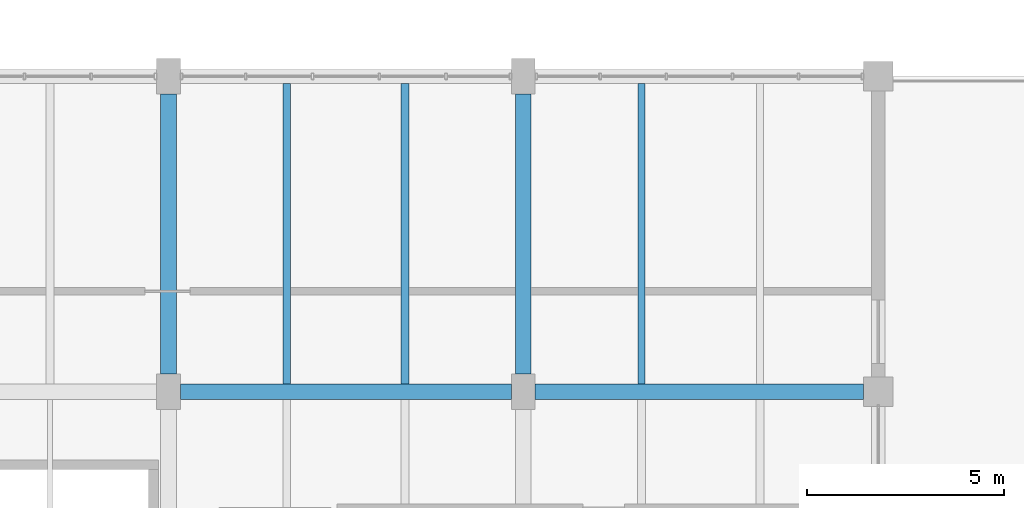
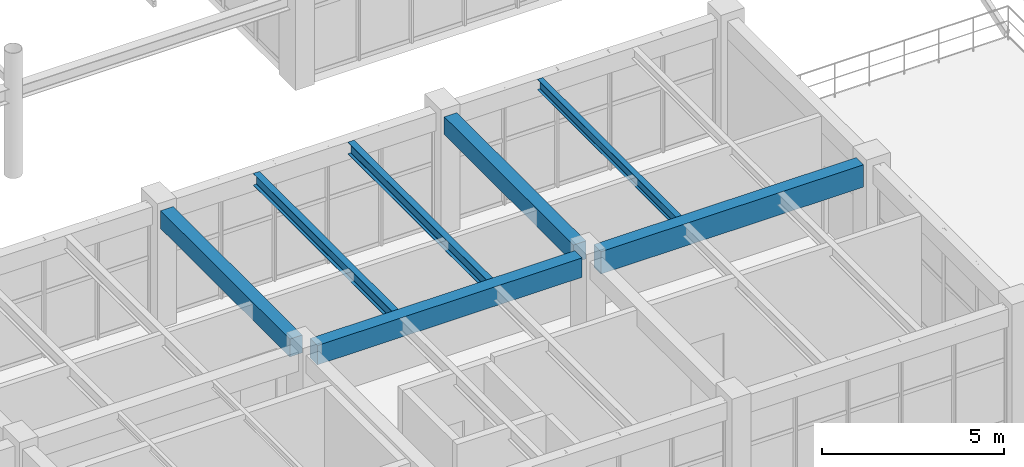
# One storey, part 15 of 148: 7 beams.
"""IFC4 building model written with IfcOpenShell, lengths in metres."""

import ifcopenshell
import ifcopenshell.guid

model = None  # the IFC model being written
_history = None  # IfcOwnerHistory: only IFC2X3 demands one
_inside = {}  # id of a spatial element -> (the spatial element, [elements in it])
_under = {}  # id of a project, library or spatial element -> (it, [spatial elements below it])
_declared = {}  # id of a project -> (the project, [libraries it declares])
_typed = {}  # id of a type object -> (the type object, [elements of that type])
_made_of = {}  # id of a material, layer set ... -> (it, [elements and type objects made of it])


def new_model(schema):
    """Start an empty IFC model of exactly this schema.

    Asked for "IFC4X3", IfcOpenShell would pick the latest addendum, in which some entities
    have other attributes; the version numbers below select the first issue.
    IFC2X3 requires an IfcOwnerHistory on every rooted entity: one is made here for all.
    """
    global model, _history
    if schema == "IFC4X3":
        model = ifcopenshell.file(schema_version=(4, 3, 0, 0))
    else:
        model = ifcopenshell.file(schema=schema)
    _inside.clear()
    _under.clear()
    _declared.clear()
    _typed.clear()
    _made_of.clear()
    _history = None
    if model.schema == "IFC2X3":
        org = make("IfcOrganization", Name="unknown")
        user = make(
            "IfcPersonAndOrganization",
            ThePerson=make("IfcPerson", FamilyName="unknown"),
            TheOrganization=org,
        )
        app = make(
            "IfcApplication",
            ApplicationDeveloper=org,
            Version="unknown",
            ApplicationFullName="unknown",
            ApplicationIdentifier="unknown",
        )
        _history = make(
            "IfcOwnerHistory",
            OwningUser=user,
            OwningApplication=app,
            ChangeAction="ADDED",
            CreationDate=0,
        )
    return model


def make(cls, **values):
    """One entity of the class cls with the attributes given. An attribute that is None is left unset."""
    return model.create_entity(
        cls, **{name: value for name, value in values.items() if value is not None}
    )


def rooted(cls, **values):
    """An entity with a GlobalId (a new one), such as an element, a storey or a relation."""
    return make(cls, GlobalId=ifcopenshell.guid.new(), OwnerHistory=_history, **values)


def si_unit(unit_type, name, prefix=None):
    """IfcSIUnit, for example si_unit("LENGTHUNIT", "METRE", prefix="MILLI")."""
    return make("IfcSIUnit", UnitType=unit_type, Prefix=prefix, Name=name)


def derived_unit(unit_type, elements):
    """IfcDerivedUnit: a product of units, each with its exponent."""
    return make(
        "IfcDerivedUnit",
        Elements=[
            make("IfcDerivedUnitElement", Unit=unit, Exponent=power)
            for unit, power in elements
        ],
        UnitType=unit_type,
    )


def assignment(units):
    """IfcUnitAssignment: the units of a project."""
    return None if units is None else make("IfcUnitAssignment", Units=units)


def point(xyz):
    """IfcCartesianPoint."""
    return None if xyz is None else make("IfcCartesianPoint", Coordinates=xyz)


def direction(xyz):
    """IfcDirection."""
    return None if xyz is None else make("IfcDirection", DirectionRatios=xyz)


def frame(location, z_axis=None, x_axis=None):
    """IfcAxis2Placement3D, a coordinate frame: its origin and axes. An axis left out is left unset."""
    return make(
        "IfcAxis2Placement3D",
        Location=point(location),
        Axis=direction(z_axis),
        RefDirection=direction(x_axis),
    )


def frame_2d(location, x_axis=None):
    """IfcAxis2Placement2D, a coordinate frame in the plane: its origin and x axis."""
    return make(
        "IfcAxis2Placement2D", Location=point(location), RefDirection=direction(x_axis)
    )


def origin():
    """The frame at (0, 0, 0) with its axes left unset."""
    return frame((0.0, 0.0, 0.0))


def origin_2d():
    """The frame at (0, 0) in the plane with its x axis left unset."""
    return frame_2d((0.0, 0.0))


def place(relative_to, where):
    """IfcLocalPlacement: puts the frame where relative to a parent placement (None: the world)."""
    return make(
        "IfcLocalPlacement", PlacementRelTo=relative_to, RelativePlacement=where
    )


def context(
    kind, dimensions, precision=None, world=None, true_north=None, identifier=None
):
    """IfcGeometricRepresentationContext, for example the 3D "Model" context."""
    return make(
        "IfcGeometricRepresentationContext",
        ContextIdentifier=identifier,
        ContextType=kind,
        CoordinateSpaceDimension=dimensions,
        Precision=precision,
        WorldCoordinateSystem=world,
        TrueNorth=true_north,
    )


def subcontext(parent, identifier, kind, view, scale=None):
    """IfcGeometricRepresentationSubContext, for example "Body" below "Model"."""
    return make(
        "IfcGeometricRepresentationSubContext",
        ContextIdentifier=identifier,
        ContextType=kind,
        ParentContext=parent,
        TargetScale=scale,
        TargetView=view,
    )


def project(units=None, contexts=None):
    """IfcProject with its units and contexts."""
    return rooted(
        "IfcProject",
        Name="project",
        RepresentationContexts=contexts,
        UnitsInContext=assignment(units),
    )


def spatial(cls, under=None, at=None, **own):
    """A site, building, storey or space (cls), placed at a placement, below another one or the project."""
    s = rooted(cls, ObjectPlacement=at, **own)
    if under is not None:
        _under.setdefault(under.id(), (under, []))[1].append(s)
    return s


def profile(cls, at=None, kind="AREA", **sizes):
    """A parametric profile (cls). Its sizes go by their IFC names, for example OverallWidth=200.0."""
    return make(cls, ProfileType=kind, Position=at, **sizes)


def rectangle(**sizes):
    """IfcRectangleProfileDef."""
    return profile("IfcRectangleProfileDef", **sizes)


def i_section(**sizes):
    """IfcIShapeProfileDef."""
    return profile("IfcIShapeProfileDef", **sizes)


def extrude(swept, where, along, depth):
    """IfcExtrudedAreaSolid: the profile swept, set in the frame where, extruded along a direction by depth."""
    return make(
        "IfcExtrudedAreaSolid",
        SweptArea=swept,
        Position=where,
        ExtrudedDirection=direction(along),
        Depth=depth,
    )


def shape(context_of_items, identifier, shape_type, items):
    """IfcShapeRepresentation: the items that make up one representation, for example the "Body"."""
    return make(
        "IfcShapeRepresentation",
        ContextOfItems=context_of_items,
        RepresentationIdentifier=identifier,
        RepresentationType=shape_type,
        Items=items,
    )


def material(Name=None, Category=None):
    """IfcMaterial."""
    return make("IfcMaterial", Name=Name, Category=Category)


def material_profile(
    of_material, cross_section, Name=None, Category=None, Priority=None
):
    """IfcMaterialProfile: a cross section and its material."""
    return make(
        "IfcMaterialProfile",
        Name=Name,
        Material=of_material,
        Profile=cross_section,
        Priority=Priority,
        Category=Category,
    )


def profile_set(profiles, Name=None, composite=None):
    """IfcMaterialProfileSet."""
    return make(
        "IfcMaterialProfileSet",
        Name=Name,
        MaterialProfiles=profiles,
        CompositeProfile=composite,
    )


def made_of(thing, what):
    """Note that an element or type object is made of a material, layer set ...; save() writes the relation."""
    if what is not None:
        _made_of.setdefault(what.id(), (what, []))[1].append(thing)
    return thing


def type_object(cls, material=None, **own):
    """A type object (cls), such as IfcWallType, which elements share."""
    return made_of(rooted(cls, **own), material)


def element(
    cls,
    number,
    at=None,
    inside=None,
    cuts=None,
    type_object=None,
    material=None,
    context=None,
    identifier="Body",
    shape_type=None,
    held_by="IfcProductDefinitionShape",
    body=None,
    shapes=None,
    **own,
):
    """One element of the class cls, such as IfcWall. Its Tag is "e" and its number.

    at: its placement. inside: the storey or other place that contains it. cuts: it is an
    opening in that element (IfcRelVoidsElement). A single representation is given by context,
    identifier, shape_type and body (its items); several are given by shapes. held_by: the class
    of the entity that holds the representations. save() writes the other relations.
    """
    e = rooted(cls, Tag="e%d" % number, ObjectPlacement=at, **own)
    if body is not None:
        shapes = [shape(context, identifier, shape_type, body)]
    if shapes is not None:
        e.Representation = make(held_by, Representations=shapes)
    if inside is not None:
        _inside.setdefault(inside.id(), (inside, []))[1].append(e)
    if cuts is not None:
        rooted(
            "IfcRelVoidsElement", RelatingBuildingElement=cuts, RelatedOpeningElement=e
        )
    if type_object is not None:
        _typed.setdefault(type_object.id(), (type_object, []))[1].append(e)
    return made_of(e, material)


def aggregate(whole, parts):
    """IfcRelAggregates: a whole, such as a stair, and the parts it consists of."""
    return rooted("IfcRelAggregates", RelatingObject=whole, RelatedObjects=parts)


def save(model, path):
    """Write the relations noted so far, then the file.

    IfcRelAggregates (storeys below a building ...), IfcRelContainedInSpatialStructure (elements
    in a storey), IfcRelDefinesByType, IfcRelAssociatesMaterial and IfcRelDeclares: one each for
    every whole, place, type object, material and project.
    """
    for whole, parts in _under.values():
        aggregate(whole, parts)
    for where, things in _inside.values():
        rooted(
            "IfcRelContainedInSpatialStructure",
            RelatedElements=things,
            RelatingStructure=where,
        )
    for kind, things in _typed.values():
        rooted("IfcRelDefinesByType", RelatedObjects=things, RelatingType=kind)
    for what, things in _made_of.values():
        rooted("IfcRelAssociatesMaterial", RelatedObjects=things, RelatingMaterial=what)
    for by, libraries in _declared.values():
        rooted("IfcRelDeclares", RelatingContext=by, RelatedDefinitions=libraries)
    model.write(path)


model = new_model("IFC4")

# Units and contexts
model_context = context("Model", 3, precision=1e-05, world=origin(), true_north=direction((0.0, 1.0)))
body_context = subcontext(model_context, "Body", "Model", "MODEL_VIEW")
ifc_project = project(units=[si_unit("LENGTHUNIT", "METRE"), si_unit("AREAUNIT", "SQUARE_METRE"), si_unit("VOLUMEUNIT", "CUBIC_METRE"), si_unit("PLANEANGLEUNIT", "RADIAN"), si_unit("MASSUNIT", "GRAM", prefix="KILO"), derived_unit("THERMALTRANSMITTANCEUNIT", [(si_unit("MASSUNIT", "GRAM", prefix="KILO"), 1), (si_unit("TIMEUNIT", "SECOND"), -3), (si_unit("THERMODYNAMICTEMPERATUREUNIT", "KELVIN"), -1)])], contexts=[model_context])

# Site, building, storey
site_placement = place(None, origin())
site = spatial("IfcSite", under=ifc_project, at=site_placement, CompositionType="ELEMENT")
building_placement = place(site_placement, origin())
building = spatial("IfcBuilding", under=site, at=building_placement, Name="Zhenchuan Archway Interchange", CompositionType="ELEMENT")
storey_placement = place(building_placement, frame((0.0, 0.0, 10.199951171875)))
storey = spatial("IfcBuildingStorey", under=building, at=storey_placement, Name="L02", CompositionType="ELEMENT", Elevation=10.199951171875)

# Beams
ifc_material_1 = material(Name="Concrete C40", Category="concrete")
ifc_material_profile_1 = material_profile(ifc_material_1, rectangle(XDim=0.39990234375, YDim=0.60009765625, at=origin_2d()), Name="RC 400x600")
ifc_profile_set_1 = profile_set([ifc_material_profile_1], Name="Concrete C40")
beam_type_1 = type_object("IfcBeamType", Name="BM_RC_400x600", PredefinedType="BEAM", material=ifc_profile_set_1)
for number, where, z_axis, x_axis, name in (
    (1, (18.0, 8.449951171875, 3.64013671875), (0.0, 1.0, 0.0), (-1.0, 0.0, 0.0), "Beam 3:B-C (L02)"),
    (2, (27.0, 8.449951171875, 3.64013671875), (0.0, 1.0, 0.0), (-1.0, 0.0, 0.0), "Beam 4:B-C (L02)"),
):
    element("IfcBeam", number, at=place(storey_placement, frame(where, z_axis=z_axis, x_axis=x_axis)), inside=storey, type_object=beam_type_1, Name=name, PredefinedType="BEAM", context=body_context, shape_type="SweptSolid", body=[
        extrude(rectangle(XDim=0.39990234375, YDim=0.60009765625, at=origin_2d()), origin(), (0.0, 0.0, 1.0), 7.10009765625),
    ])
ifc_material_profile_2 = material_profile(ifc_material_1, rectangle(XDim=0.39990234375, YDim=0.64990234375, at=origin_2d()), Name="RC 400x650")
ifc_profile_set_2 = profile_set([ifc_material_profile_2], Name="Concrete C40")
beam_type_2 = type_object("IfcBeamType", Name="BM_RC_400x650", PredefinedType="BEAM", material=ifc_profile_set_2)
beam_1_placement = place(storey_placement, frame((18.300048828125, 8.0, 3.614990234375), z_axis=(1.0, 0.0, 0.0), x_axis=(0.0, 1.0, 0.0)))
element("IfcBeam", 3, at=beam_1_placement, inside=storey, type_object=beam_type_2, Name="Beam B:3-4 (L02)", PredefinedType="BEAM", context=body_context, shape_type="SweptSolid", body=[
    extrude(rectangle(XDim=0.39990234375, YDim=0.64990234375, at=origin_2d()), origin(), (0.0, 0.0, 1.0), 8.39990234375),
])
ifc_material_profile_3 = material_profile(ifc_material_1, rectangle(XDim=0.39990234375, YDim=0.75, at=origin_2d()), Name="RC 400x750")
ifc_profile_set_3 = profile_set([ifc_material_profile_3], Name="Concrete C40")
beam_type_3 = type_object("IfcBeamType", Name="BM_RC_400x750", PredefinedType="BEAM", material=ifc_profile_set_3)
beam_2_placement = place(storey_placement, frame((27.300048828125, 8.0, 3.56494140625), z_axis=(1.0, 0.0, 0.0), x_axis=(0.0, 1.0, 0.0)))
element("IfcBeam", 4, at=beam_2_placement, inside=storey, type_object=beam_type_3, Name="Beam B:4-5 (L02)", PredefinedType="BEAM", context=body_context, shape_type="SweptSolid", body=[
    extrude(rectangle(XDim=0.39990234375, YDim=0.75, at=origin_2d()), origin(), (0.0, 0.0, 1.0), 8.324951171875),
])
ifc_material_2 = material(Name="Steel Q355", Category="steel")
ifc_material_profile_4 = material_profile(ifc_material_2, i_section(OverallWidth=0.175048828125, OverallDepth=0.35009765625, WebThickness=0.007080078125, FlangeThickness=0.010986328125, FilletRadius=0.013916015625, at=origin_2d()), Name="HN 350x175")
ifc_profile_set_4 = profile_set([ifc_material_profile_4], Name="Steel Q355")
beam_type_4 = type_object("IfcBeamType", Name="JST_STL_HN350", PredefinedType="JOIST", material=ifc_profile_set_4)
beam_3_placement = place(storey_placement, frame((30.0, 8.199951171875, 3.76513671875), z_axis=(0.0, 1.0, 0.0), x_axis=(-1.0, 0.0, 0.0)))
element("IfcBeam", 5, at=beam_3_placement, inside=storey, type_object=beam_type_4, Name="Secondary joist 4-5/B-C #1 (L02)", PredefinedType="JOIST", context=body_context, shape_type="SweptSolid", body=[
    extrude(i_section(OverallWidth=0.175048828125, OverallDepth=0.35009765625, WebThickness=0.007080078125, FlangeThickness=0.010986328125, FilletRadius=0.013916015625, at=origin_2d()), origin(), (0.0, 0.0, 1.0), 7.625),
])
ifc_material_profile_5 = material_profile(ifc_material_2, i_section(OverallWidth=0.199951171875, OverallDepth=0.39990234375, WebThickness=0.008056640625, FlangeThickness=0.012939453125, FilletRadius=0.01611328125, at=origin_2d()), Name="HN 400x200")
ifc_profile_set_5 = profile_set([ifc_material_profile_5], Name="Steel Q355")
beam_type_5 = type_object("IfcBeamType", Name="JST_STL_HN400", PredefinedType="JOIST", material=ifc_profile_set_5)
for number, where, z_axis, x_axis, name in (
    (6, (21.0, 8.199951171875, 3.739990234375), (0.0, 1.0, 0.0), (-1.0, 0.0, 0.0), "Secondary joist 3-4/B-C #1 (L02)"),
    (7, (24.0, 8.199951171875, 3.739990234375), (0.0, 1.0, 0.0), (-1.0, 0.0, 0.0), "Secondary joist 3-4/B-C #2 (L02)"),
):
    element("IfcBeam", number, at=place(storey_placement, frame(where, z_axis=z_axis, x_axis=x_axis)), inside=storey, type_object=beam_type_5, Name=name, PredefinedType="JOIST", context=body_context, shape_type="SweptSolid", body=[
        extrude(i_section(OverallWidth=0.199951171875, OverallDepth=0.39990234375, WebThickness=0.008056640625, FlangeThickness=0.012939453125, FilletRadius=0.01611328125, at=origin_2d()), origin(), (0.0, 0.0, 1.0), 7.625),
    ])

save(model, "model.ifc")
